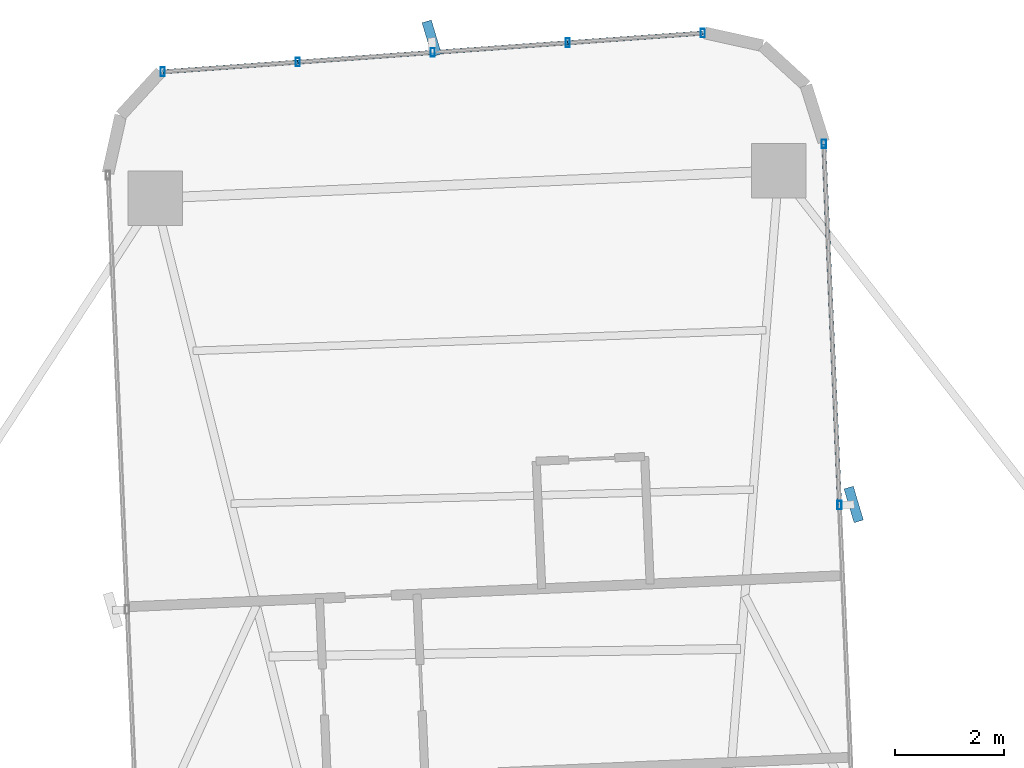
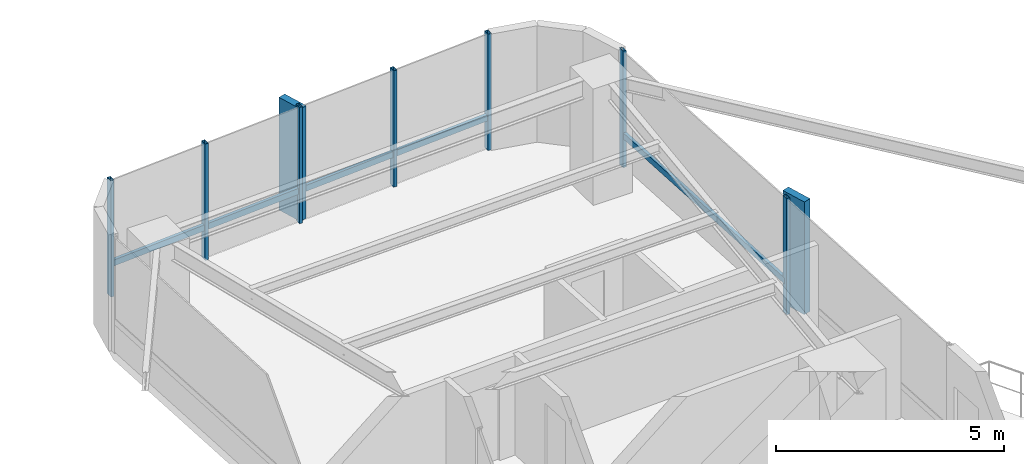
# One storey, part 19 of 26: 14 members, 2 elements without a shape of their own.
"""IFC4 building model written with IfcOpenShell, lengths in metres."""

from ifc_helpers import new_model, si_unit, direction, frame, origin, origin_2d, place, context, subcontext, project, spatial, rectangle, hollow_rectangle, extrude, source, transform, mapped, material, material_profile, profile_set, type_object, element, aggregate, save


model = new_model("IFC4")

# Units and contexts
model_context = context("Model", 3, precision=1e-05, world=origin(), true_north=direction((0.0, 1.0)))
body_context = subcontext(model_context, "Body", "Model", "MODEL_VIEW")
ifc_project = project(units=[si_unit("LENGTHUNIT", "METRE"), si_unit("AREAUNIT", "SQUARE_METRE"), si_unit("VOLUMEUNIT", "CUBIC_METRE"), si_unit("PLANEANGLEUNIT", "RADIAN"), si_unit("MASSUNIT", "GRAM", prefix="KILO")], contexts=[model_context])

# Site, building, storey
site_placement = place(None, origin())
site = spatial("IfcSite", under=ifc_project, at=site_placement, CompositionType="ELEMENT")
building_placement = place(site_placement, origin())
building = spatial("IfcBuilding", under=site, at=building_placement, Name="Sahyath Konkavel Grand Hotel", CompositionType="ELEMENT")
storey_placement = place(building_placement, frame((0.0, 0.0, 111.449951171875)))
storey = spatial("IfcBuildingStorey", under=building, at=storey_placement, Name="L30", CompositionType="ELEMENT", Elevation=111.449951171875)

# Curtain wall, member
ifc_material_1 = material(Name="Anodised Bronze Aluminium & Low-E Glazing", Category="aluminium")
curtain_wall_type = type_object("IfcCurtainWallType", Name="CW-ZONE2", PredefinedType="NOTDEFINED", material=ifc_material_1)
curtain_wall_1_placement = place(storey_placement, origin())
curtain_wall_1 = element("IfcCurtainWall", 1, at=curtain_wall_1_placement, inside=storey, type_object=curtain_wall_type, Name="L30 Unitised Curtain Wall F8", PredefinedType="NOTDEFINED")
ifc_material_2 = material(Name="Warm Buff Sandstone Cladding on Concrete C50/60", Category="masonry")
ifc_material_profile_1 = material_profile(ifc_material_2, rectangle(XDim=0.179931640625, YDim=0.64990234375, at=origin_2d()), Name="FIN 180x650")
ifc_profile_set_1 = profile_set([ifc_material_profile_1], Name="Warm Buff Sandstone Cladding on Concrete C50/60")
member_type_1 = type_object("IfcMemberType", Name="FIN-SANDSTONE-650", PredefinedType="MULLION", material=ifc_profile_set_1)
shared_shape_1 = source(origin(), body_context, "Body", "SweptSolid", [
    extrude(rectangle(XDim=0.179931640625, YDim=0.64990234375, at=origin_2d()), origin(), (0.0, 0.0, 1.0), 3.010009765625),
])
member_1_placement = place(storey_placement, frame((6.155517578125, 16.283935546875, 0.050048828125), z_axis=(0.0, 0.0, 1.0), x_axis=(0.958172857028, 0.286190104747, 0.0)))
member_1 = element("IfcMember", 2, at=member_1_placement, type_object=member_type_1, Name="L30 Sandstone Vertical Solar Fin FIN F8-1", PredefinedType="MULLION", context=body_context, shape_type="MappedRepresentation", body=[
    mapped(shared_shape_1, transform((0.0, 0.0, 0.0), scale=1.0)),
])

curtain_wall_2_placement = place(storey_placement, origin())
curtain_wall_2 = element("IfcCurtainWall", 3, at=curtain_wall_2_placement, inside=storey, type_object=curtain_wall_type, Name="L30 Unitised Curtain Wall F12", PredefinedType="NOTDEFINED")
member_2_placement = place(storey_placement, frame((-1.61865234375, 24.872314453125, 0.050048828125), z_axis=(0.0, 0.0, 1.0), x_axis=(0.958172857028, 0.286190104747, 0.0)))
member_2 = element("IfcMember", 4, at=member_2_placement, type_object=member_type_1, Name="L30 Sandstone Vertical Solar Fin FIN F12-2", PredefinedType="MULLION", context=body_context, shape_type="MappedRepresentation", body=[
    mapped(shared_shape_1, transform((0.0, 0.0, 0.0), scale=1.0)),
])

# Member
ifc_material_3 = material(Name="Anodised Bronze Aluminium", Category="aluminium")
ifc_material_profile_2 = material_profile(ifc_material_3, hollow_rectangle(XDim=0.080078125, YDim=0.159912109375, WallThickness=0.006103515625, at=origin_2d()), Name="RHS 160x80x6")
ifc_profile_set_2 = profile_set([ifc_material_profile_2], Name="Anodised Bronze Aluminium")
member_type_2 = type_object("IfcMemberType", Name="CW-MUL-160", PredefinedType="MULLION", material=ifc_profile_set_2)
shared_shape_2 = source(origin(), body_context, "Body", "SweptSolid", [
    extrude(hollow_rectangle(XDim=0.080078125, YDim=0.159912109375, WallThickness=0.006103515625, at=origin_2d()), origin(), (0.0, 0.0, 1.0), 3.110107421875),
])
member_3_placement = place(storey_placement, frame((5.895751953125, 16.272705078125, 0.0), z_axis=(0.0, 0.0, 1.0), x_axis=(1.0, 0.0, 0.0)))
member_3 = element("IfcMember", 5, at=member_3_placement, type_object=member_type_2, Name="L30 Curtain Wall Mullion F8-1", PredefinedType="MULLION", context=body_context, shape_type="MappedRepresentation", body=[
    mapped(shared_shape_2, transform((0.0, 0.0, 0.0), scale=1.0)),
])

member_4_placement = place(storey_placement, frame((5.605224609375, 22.92626953125, 0.0), z_axis=(0.0, 0.0, 1.0), x_axis=(1.0, 0.0, 0.0)))
member_4 = element("IfcMember", 6, at=member_4_placement, type_object=member_type_2, Name="L30 Curtain Wall Mullion F8-2", PredefinedType="MULLION", context=body_context, shape_type="MappedRepresentation", body=[
    mapped(shared_shape_2, transform((0.0, 0.0, 0.0), scale=1.0)),
])

member_5_placement = place(storey_placement, frame((3.3740234375, 24.9697265625, 0.0), z_axis=(0.0, 0.0, 1.0), x_axis=(1.0, 0.0, 0.0)))
member_5 = element("IfcMember", 7, at=member_5_placement, type_object=member_type_2, Name="L30 Curtain Wall Mullion F12-0", PredefinedType="MULLION", context=body_context, shape_type="MappedRepresentation", body=[
    mapped(shared_shape_2, transform((0.0, 0.0, 0.0), scale=1.0)),
])

member_6_placement = place(storey_placement, frame((0.886962890625, 24.79150390625, 0.0), z_axis=(0.0, 0.0, 1.0), x_axis=(1.0, 0.0, 0.0)))
member_6 = element("IfcMember", 8, at=member_6_placement, type_object=member_type_2, Name="L30 Curtain Wall Mullion F12-1", PredefinedType="MULLION", context=body_context, shape_type="MappedRepresentation", body=[
    mapped(shared_shape_2, transform((0.0, 0.0, 0.0), scale=1.0)),
])

member_7_placement = place(storey_placement, frame((-1.60009765625, 24.61279296875, 0.0), z_axis=(0.0, 0.0, 1.0), x_axis=(1.0, 0.0, 0.0)))
member_7 = element("IfcMember", 9, at=member_7_placement, type_object=member_type_2, Name="L30 Curtain Wall Mullion F12-2", PredefinedType="MULLION", context=body_context, shape_type="MappedRepresentation", body=[
    mapped(shared_shape_2, transform((0.0, 0.0, 0.0), scale=1.0)),
])

member_8_placement = place(storey_placement, frame((-4.087158203125, 24.4345703125, 0.0), z_axis=(0.0, 0.0, 1.0), x_axis=(1.0, 0.0, 0.0)))
member_8 = element("IfcMember", 10, at=member_8_placement, type_object=member_type_2, Name="L30 Curtain Wall Mullion F12-3", PredefinedType="MULLION", context=body_context, shape_type="MappedRepresentation", body=[
    mapped(shared_shape_2, transform((0.0, 0.0, 0.0), scale=1.0)),
])

member_9_placement = place(storey_placement, frame((-6.57421875, 24.256103515625, 0.0), z_axis=(0.0, 0.0, 1.0), x_axis=(1.0, 0.0, 0.0)))
member_9 = element("IfcMember", 11, at=member_9_placement, type_object=member_type_2, Name="L30 Curtain Wall Mullion F12-4", PredefinedType="MULLION", context=body_context, shape_type="MappedRepresentation", body=[
    mapped(shared_shape_2, transform((0.0, 0.0, 0.0), scale=1.0)),
])

ifc_material_profile_3 = material_profile(ifc_material_3, hollow_rectangle(XDim=0.080078125, YDim=0.159912109375, WallThickness=0.006103515625, at=origin_2d()), Name="RHS 160x80x6")
ifc_profile_set_3 = profile_set([ifc_material_profile_3], Name="Anodised Bronze Aluminium")
member_type_3 = type_object("IfcMemberType", Name="CW-TRN-160", PredefinedType="USERDEFINED", material=ifc_profile_set_3)
shared_shape_3 = source(origin(), body_context, "Body", "SweptSolid", [
    extrude(hollow_rectangle(XDim=0.080078125, YDim=0.159912109375, WallThickness=0.006103515625, at=origin_2d()), origin(), (0.0, 0.0, 1.0), 2.493408203125),
])
member_10_placement = place(storey_placement, frame((3.3740234375, 24.9697265625, 0.85009765625), z_axis=(-0.997442271688, -0.071476672066, 0.0), x_axis=(0.071476672066, -0.997442271688, 0.0)))
member_10 = element("IfcMember", 12, at=member_10_placement, type_object=member_type_3, Name="L30 Curtain Wall Transom F12-0-spandrel", ObjectType="TRANSOM", PredefinedType="USERDEFINED", context=body_context, shape_type="MappedRepresentation", body=[
    mapped(shared_shape_3, transform((0.0, 0.0, 0.0), scale=1.0)),
])

member_11_placement = place(storey_placement, frame((0.886962890625, 24.79150390625, 0.85009765625), z_axis=(-0.997428291631, -0.071671494009, 0.0), x_axis=(0.071671494009, -0.997428291631, 0.0)))
member_11 = element("IfcMember", 13, at=member_11_placement, type_object=member_type_3, Name="L30 Curtain Wall Transom F12-1-spandrel", ObjectType="TRANSOM", PredefinedType="USERDEFINED", context=body_context, shape_type="MappedRepresentation", body=[
    mapped(shared_shape_3, transform((0.0, 0.0, 0.0), scale=1.0)),
])

member_12_placement = place(storey_placement, frame((-1.60009765625, 24.61279296875, 0.85009765625), z_axis=(-0.997442271688, -0.071476672066, 0.0), x_axis=(0.071476672066, -0.997442271688, 0.0)))
member_12 = element("IfcMember", 14, at=member_12_placement, type_object=member_type_3, Name="L30 Curtain Wall Transom F12-2-spandrel", ObjectType="TRANSOM", PredefinedType="USERDEFINED", context=body_context, shape_type="MappedRepresentation", body=[
    mapped(shared_shape_3, transform((0.0, 0.0, 0.0), scale=1.0)),
])

member_13_placement = place(storey_placement, frame((-4.087158203125, 24.4345703125, 0.85009765625), z_axis=(-0.997435286367, -0.071574084062, 0.0), x_axis=(0.071574084062, -0.997435286367, 0.0)))
member_13 = element("IfcMember", 15, at=member_13_placement, type_object=member_type_3, Name="L30 Curtain Wall Transom F12-3-spandrel", ObjectType="TRANSOM", PredefinedType="USERDEFINED", context=body_context, shape_type="MappedRepresentation", body=[
    mapped(shared_shape_3, transform((0.0, 0.0, 0.0), scale=1.0)),
])

aggregate(curtain_wall_2, [member_5, member_6, member_7, member_2, member_8, member_9, member_10, member_11, member_12, member_13])

shared_shape_4 = source(origin(), body_context, "Body", "SweptSolid", [
    extrude(hollow_rectangle(XDim=0.080078125, YDim=0.159912109375, WallThickness=0.006103515625, at=origin_2d()), origin(), (0.0, 0.0, 1.0), 6.659912109375),
])
member_14_placement = place(storey_placement, frame((5.895751953125, 16.272705078125, 0.85009765625), z_axis=(-0.043623350741, 0.999048048529, 0.0), x_axis=(-0.999048048529, -0.043623350741, 0.0)))
member_14 = element("IfcMember", 16, at=member_14_placement, type_object=member_type_3, Name="L30 Curtain Wall Transom F8-1-spandrel", ObjectType="TRANSOM", PredefinedType="USERDEFINED", context=body_context, shape_type="MappedRepresentation", body=[
    mapped(shared_shape_4, transform((0.0, 0.0, 0.0), scale=1.0)),
])

aggregate(curtain_wall_1, [member_3, member_1, member_4, member_14])

save(model, "model.ifc")
